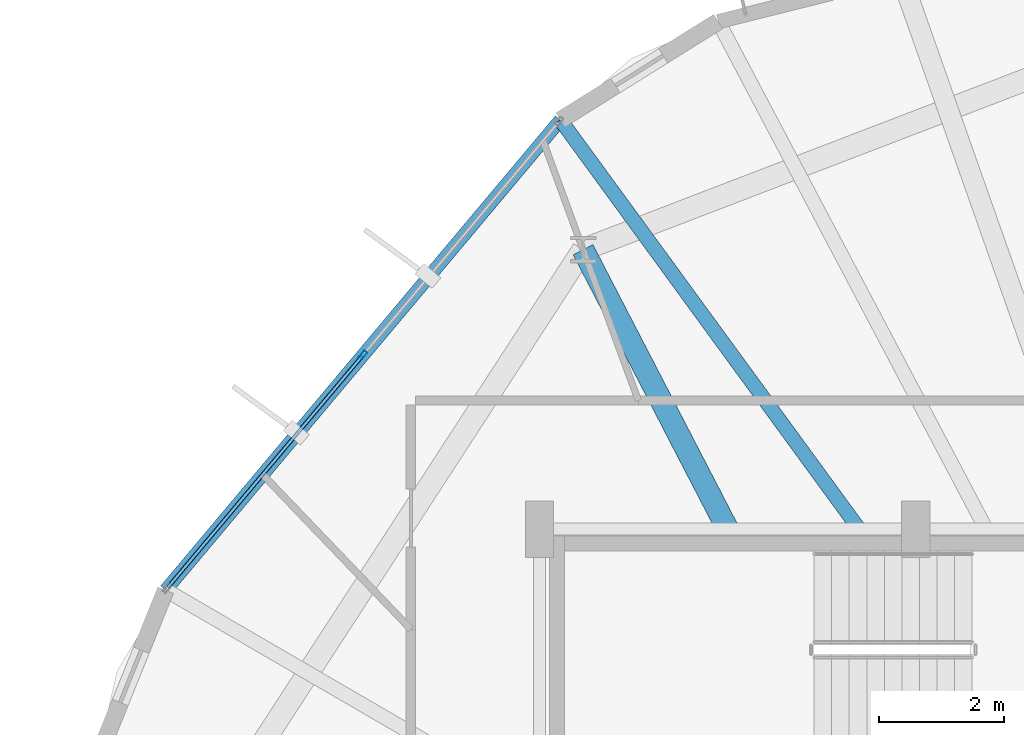
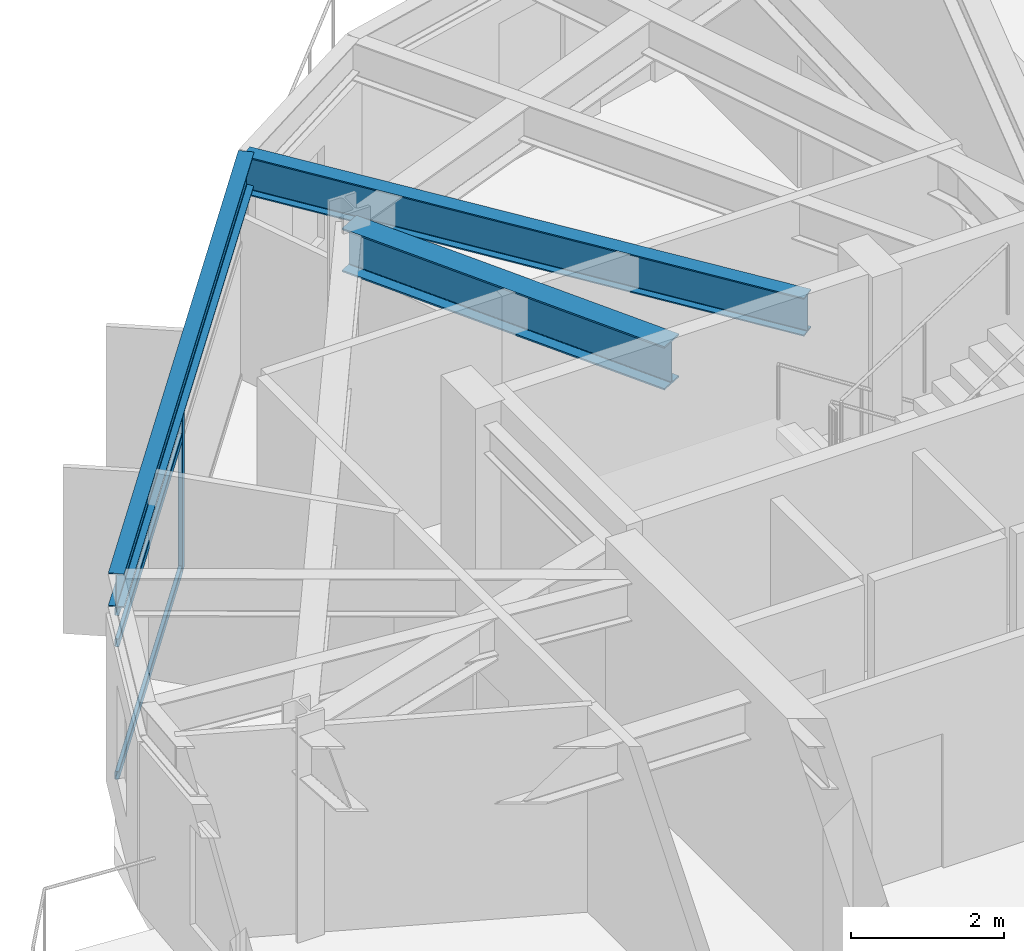
# One storey, part 11 of 23: 4 members, 3 beams, 1 element without a shape of its own.
"""IFC4 building model written with IfcOpenShell, lengths in metres."""

from ifc_helpers import new_model, si_unit, direction, frame, origin, origin_2d, place, context, subcontext, project, spatial, hollow_rectangle, i_section, extrude, material, layer, layer_set, material_profile, profile_set, type_object, element, aggregate, save


model = new_model("IFC4")

# Units and contexts
model_context = context("Model", 3, precision=1e-05, world=origin(), true_north=direction((0.0, 1.0)))
body_context = subcontext(model_context, "Body", "Model", "MODEL_VIEW")
ifc_project = project(units=[si_unit("LENGTHUNIT", "METRE"), si_unit("AREAUNIT", "SQUARE_METRE"), si_unit("VOLUMEUNIT", "CUBIC_METRE"), si_unit("PLANEANGLEUNIT", "RADIAN"), si_unit("MASSUNIT", "GRAM", prefix="KILO")], contexts=[model_context])

# Site, building, storey
site_placement = place(None, origin())
site = spatial("IfcSite", under=ifc_project, at=site_placement, CompositionType="ELEMENT")
building_placement = place(site_placement, origin())
building = spatial("IfcBuilding", under=site, at=building_placement, Name="Soratama Intermodal Tower", CompositionType="ELEMENT")
storey_placement = place(building_placement, frame((0.0, 0.0, 215.800048828125)))
storey = spatial("IfcBuildingStorey", under=building, at=storey_placement, Name="L54", CompositionType="ELEMENT", Elevation=215.800048828125)

# Beams
ifc_material_1 = material(Name="Structural steel ASTM A992 Grade 50", Category="steel")
ifc_material_profile_1 = material_profile(ifc_material_1, i_section(OverallWidth=0.35498046875, OverallDepth=0.695068359375, WebThickness=0.015380859375, FlangeThickness=0.02490234375, FilletRadius=0.01611328125, at=origin_2d()), Name="W27X146")
ifc_profile_set_1 = profile_set([ifc_material_profile_1], Name="Structural steel ASTM A992 Grade 50")
beam_type_1 = type_object("IfcBeamType", Name="BM-RING-W27X146", PredefinedType="BEAM", material=ifc_profile_set_1)
beam_1_placement = place(storey_placement, frame((35.60009765625, 35.0, 2.952392578125), z_axis=(-0.459552673174, 0.888150516849, 0.0), x_axis=(-0.888150516849, -0.459552673174, 0.0)))
element("IfcBeam", 1, at=beam_1_placement, inside=storey, type_object=beam_type_1, Name="BM-L54-RAD-04", PredefinedType="BEAM", context=body_context, shape_type="SweptSolid", body=[
    extrude(i_section(OverallWidth=0.35498046875, OverallDepth=0.695068359375, WebThickness=0.015380859375, FlangeThickness=0.02490234375, FilletRadius=0.01611328125, at=origin_2d()), origin(), (0.0, 0.0, 1.0), 5.01611328125),
])
ifc_material_2 = material(Name="Structural steel ASTM A992 Grade 50", Category="steel")
ifc_material_profile_2 = material_profile(ifc_material_2, i_section(OverallWidth=0.2099609375, OverallDepth=0.537109375, WebThickness=0.010986328125, FlangeThickness=0.017333984375, FilletRadius=0.012939453125, at=origin_2d()), Name="W21X68")
ifc_profile_set_2 = profile_set([ifc_material_profile_2], Name="Structural steel ASTM A992 Grade 50")
beam_type_2 = type_object("IfcBeamType", Name="BM-SPN-W21X68", PredefinedType="SPANDREL", material=ifc_profile_set_2)
beam_2_placement = place(storey_placement, frame((32.93408203125, 41.52392578125, 3.031494140625), z_axis=(-0.643059329608, -0.765816360888, 0.0), x_axis=(0.765816360888, -0.643059329608, 0.0)))
element("IfcBeam", 2, at=beam_2_placement, inside=storey, type_object=beam_type_2, Name="BS-L54-F03", PredefinedType="SPANDREL", context=body_context, shape_type="SweptSolid", body=[
    extrude(i_section(OverallWidth=0.2099609375, OverallDepth=0.537109375, WebThickness=0.010986328125, FlangeThickness=0.017333984375, FilletRadius=0.012939453125, at=origin_2d()), origin(), (0.0, 0.0, 1.0), 9.791015625),
])
ifc_material_3 = material(Name="Structural steel ASTM A992 Grade 50", Category="steel")
ifc_material_profile_3 = material_profile(ifc_material_3, i_section(OverallWidth=0.22900390625, OverallDepth=0.612060546875, WebThickness=0.011962890625, FlangeThickness=0.01953125, FilletRadius=0.012939453125, at=origin_2d()), Name="W24X84")
ifc_profile_set_3 = profile_set([ifc_material_profile_3], Name="Structural steel ASTM A992 Grade 50")
beam_type_3 = type_object("IfcBeamType", Name="BM-TIE-W24X84", PredefinedType="BEAM", material=ifc_profile_set_3)
beam_3_placement = place(storey_placement, frame((37.674072265625, 35.031982421875, 2.993896484375), z_axis=(-0.58968223616, 0.807635351107, 0.0), x_axis=(-0.807635351107, -0.58968223616, 0.0)))
element("IfcBeam", 3, at=beam_3_placement, inside=storey, type_object=beam_type_3, Name="BM-L54-TIE0-03", PredefinedType="BEAM", context=body_context, shape_type="SweptSolid", body=[
    extrude(i_section(OverallWidth=0.22900390625, OverallDepth=0.612060546875, WebThickness=0.011962890625, FlangeThickness=0.01953125, FilletRadius=0.012939453125, at=origin_2d()), origin(), (0.0, 0.0, 1.0), 8.038330078125),
])

# Curtain wall, members
ifc_material_4 = material(Name="Double-glazed aluminium curtain wall", Category="aluminium")
ifc_layer = layer(ifc_material_4, 0.159912109375)
ifc_layer_set = layer_set([ifc_layer], Name="Double-glazed aluminium curtain wall")
curtain_wall_type = type_object("IfcCurtainWallType", Name="CW-SYS-5", PredefinedType="NOTDEFINED", material=ifc_layer_set)
curtain_wall_placement = place(storey_placement, origin())
curtain_wall = element("IfcCurtainWall", 4, at=curtain_wall_placement, inside=storey, type_object=curtain_wall_type, Name="L54 Faceted Curtain Wall F03", PredefinedType="NOTDEFINED")
ifc_material_5 = material(Name="Anodised aluminium AA 6063-T6", Category="aluminium")
ifc_material_profile_4 = material_profile(ifc_material_5, hollow_rectangle(XDim=0.06494140625, YDim=0.139892578125, WallThickness=0.0048828125, InnerFilletRadius=0.0048828125, OuterFilletRadius=0.010009765625, at=origin_2d()), Name="CWM140X65X5")
ifc_profile_set_4 = profile_set([ifc_material_profile_4], Name="Anodised aluminium AA 6063-T6")
member_type_1 = type_object("IfcMemberType", Name="MT-CWM-5", PredefinedType="MULLION", material=ifc_profile_set_4)
member_1_placement = place(storey_placement, frame((29.786376953125, 37.77490234375, 0.0), z_axis=(0.0, 0.0, 1.0), x_axis=(0.76582316527, -0.643051226214, 0.0)))
member_1 = element("IfcMember", 5, at=member_1_placement, type_object=member_type_1, Name="CW-5 mullion 2", PredefinedType="MULLION", context=body_context, shape_type="SweptSolid", body=[
    extrude(hollow_rectangle(XDim=0.06494140625, YDim=0.139892578125, WallThickness=0.0048828125, InnerFilletRadius=0.0048828125, OuterFilletRadius=0.010009765625, at=origin_2d()), origin(), (0.0, 0.0, 1.0), 2.678955078125),
])
ifc_material_6 = material(Name="Anodised aluminium AA 6063-T6", Category="aluminium")
ifc_material_profile_5 = material_profile(ifc_material_6, hollow_rectangle(XDim=0.06005859375, YDim=0.1298828125, WallThickness=0.0048828125, InnerFilletRadius=0.0048828125, OuterFilletRadius=0.010009765625, at=origin_2d()), Name="CWT130X60X5")
ifc_profile_set_5 = profile_set([ifc_material_profile_5], Name="Anodised aluminium AA 6063-T6")
member_type_2 = type_object("IfcMemberType", Name="TT-CWT-2", PredefinedType="USERDEFINED", material=ifc_profile_set_5)
member_2_placement = place(storey_placement, frame((29.76708984375, 37.751953125, 0.030029296875), z_axis=(-0.643063391854, -0.765812949784, 0.0), x_axis=(0.765812949784, -0.643063391854, 0.0)))
member_2 = element("IfcMember", 6, at=member_2_placement, type_object=member_type_2, Name="CW-5 transom 2.1", ObjectType="TRANSOM", PredefinedType="USERDEFINED", context=body_context, shape_type="SweptSolid", body=[
    extrude(hollow_rectangle(XDim=0.06005859375, YDim=0.1298828125, WallThickness=0.0048828125, InnerFilletRadius=0.0048828125, OuterFilletRadius=0.010009765625, at=origin_2d()), origin(), (0.0, 0.0, 1.0), 4.80517578125),
])
member_3_placement = place(storey_placement, frame((29.76708984375, 37.751953125, 2.14990234375), z_axis=(-0.643063391854, -0.765812949784, 0.0), x_axis=(0.765812949784, -0.643063391854, 0.0)))
member_3 = element("IfcMember", 7, at=member_3_placement, type_object=member_type_2, Name="CW-5 transom 2.2", ObjectType="TRANSOM", PredefinedType="USERDEFINED", context=body_context, shape_type="SweptSolid", body=[
    extrude(hollow_rectangle(XDim=0.06005859375, YDim=0.1298828125, WallThickness=0.0048828125, InnerFilletRadius=0.0048828125, OuterFilletRadius=0.010009765625, at=origin_2d()), origin(), (0.0, 0.0, 1.0), 4.80517578125),
])
member_4_placement = place(storey_placement, frame((29.76708984375, 37.751953125, 2.64892578125), z_axis=(-0.643063391854, -0.765812949784, 0.0), x_axis=(0.765812949784, -0.643063391854, 0.0)))
member_4 = element("IfcMember", 8, at=member_4_placement, type_object=member_type_2, Name="CW-5 transom 2.3", ObjectType="TRANSOM", PredefinedType="USERDEFINED", context=body_context, shape_type="SweptSolid", body=[
    extrude(hollow_rectangle(XDim=0.06005859375, YDim=0.1298828125, WallThickness=0.0048828125, InnerFilletRadius=0.0048828125, OuterFilletRadius=0.010009765625, at=origin_2d()), origin(), (0.0, 0.0, 1.0), 4.80517578125),
])
aggregate(curtain_wall, [member_1, member_2, member_3, member_4])

save(model, "model.ifc")
